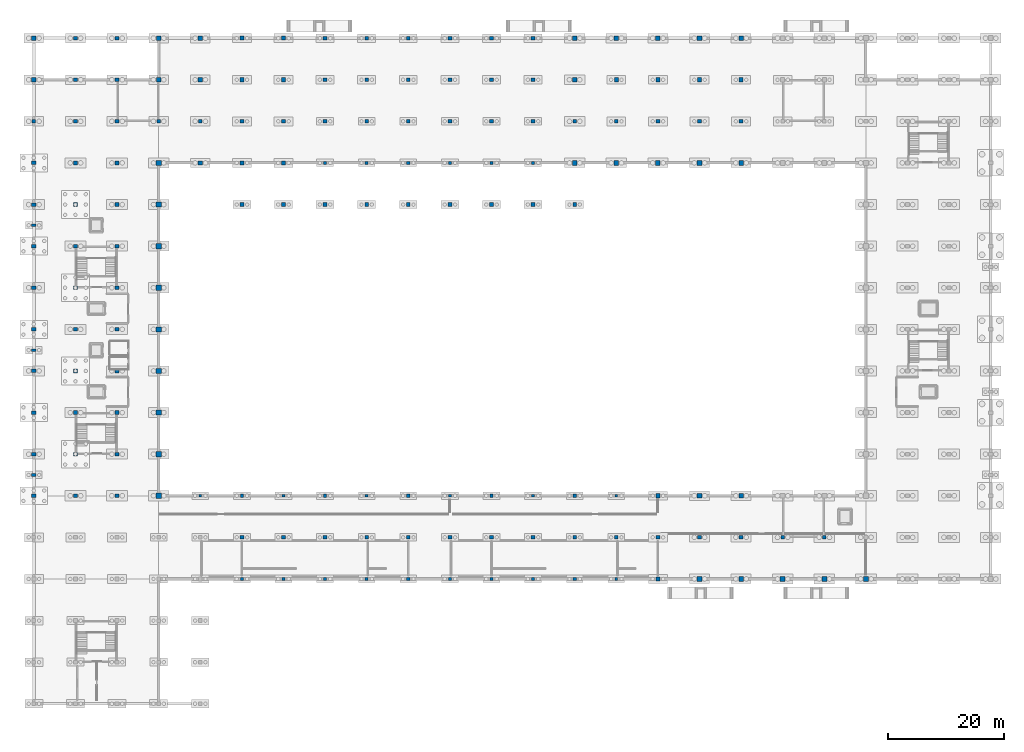
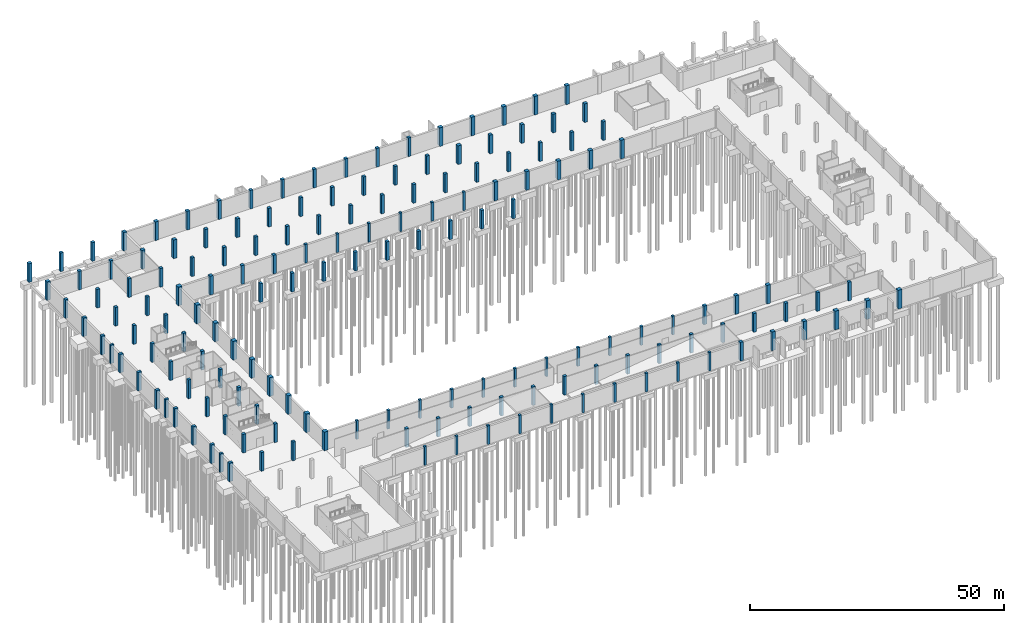
# One storey, part 7 of 18: 161 columns.
"""IFC4 building model written with IfcOpenShell, lengths in metres."""

from ifc_helpers import new_model, si_unit, direction, frame, origin, origin_2d, place, context, subcontext, project, spatial, rectangle, extrude, material, material_profile, profile_set, type_object, element, save


model = new_model("IFC4")

# Units and contexts
model_context = context("Model", 3, precision=1e-05, world=origin(), true_north=direction((0.0, 1.0)))
body_context = subcontext(model_context, "Body", "Model", "MODEL_VIEW")
ifc_project = project(units=[si_unit("LENGTHUNIT", "METRE"), si_unit("AREAUNIT", "SQUARE_METRE"), si_unit("VOLUMEUNIT", "CUBIC_METRE"), si_unit("PLANEANGLEUNIT", "RADIAN"), si_unit("MASSUNIT", "GRAM", prefix="KILO")], contexts=[model_context])

# Site, building, storey
site_placement = place(None, origin())
site = spatial("IfcSite", under=ifc_project, at=site_placement, CompositionType="ELEMENT")
building_placement = place(site_placement, origin())
building = spatial("IfcBuilding", under=site, at=building_placement, Name="Kangsadwip Square Police Headquarters", CompositionType="ELEMENT")
storey_placement = place(building_placement, frame((0.0, 0.0, -4.5)))
storey = spatial("IfcBuildingStorey", under=building, at=storey_placement, Name="B1", CompositionType="ELEMENT", Elevation=-4.5)

# Columns
ifc_material_1 = material(Name="Concrete M35 (35 MPa)", Category="concrete")
ifc_material_profile_1 = material_profile(ifc_material_1, rectangle(XDim=0.5, YDim=0.5, at=origin_2d()), Name="RC COL 500X500")
ifc_profile_set_1 = profile_set([ifc_material_profile_1], Name="Concrete M35 (35 MPa)")
column_type_1 = type_object("IfcColumnType", Name="RcCol500x500", PredefinedType="COLUMN", material=ifc_profile_set_1)
for number, where, z_axis, x_axis, name in (
    (1, (28.800048828125, 36.0, 0.0), (0.0, 0.0, 1.0), (1.0, 0.0, 0.0), "Column COL-B1-04-05"),
    (2, (43.199951171875, 21.60009765625, 0.0), (0.0, 0.0, 1.0), (1.0, 0.0, 0.0), "Column COL-B1-06-03"),
    (3, (43.199951171875, 36.0, 0.0), (0.0, 0.0, 1.0), (1.0, 0.0, 0.0), "Column COL-B1-06-05"),
    (4, (57.60009765625, 21.60009765625, 0.0), (0.0, 0.0, 1.0), (1.0, 0.0, 0.0), "Column COL-B1-08-03"),
    (5, (57.60009765625, 36.0, 0.0), (0.0, 0.0, 1.0), (1.0, 0.0, 0.0), "Column COL-B1-08-05"),
    (6, (57.60009765625, 93.60009765625, 0.0), (0.0, 0.0, 1.0), (1.0, 0.0, 0.0), "Column COL-B1-08-13"),
    (7, (72.0, 21.60009765625, 0.0), (0.0, 0.0, 1.0), (1.0, 0.0, 0.0), "Column COL-B1-10-03"),
    (8, (72.0, 36.0, 0.0), (0.0, 0.0, 1.0), (1.0, 0.0, 0.0), "Column COL-B1-10-05"),
    (9, (72.0, 93.60009765625, 0.0), (0.0, 0.0, 1.0), (1.0, 0.0, 0.0), "Column COL-B1-10-13"),
    (10, (86.39990234375, 21.60009765625, 0.0), (0.0, 0.0, 1.0), (1.0, 0.0, 0.0), "Column COL-B1-12-03"),
    (11, (86.39990234375, 36.0, 0.0), (0.0, 0.0, 1.0), (1.0, 0.0, 0.0), "Column COL-B1-12-05"),
    (12, (86.39990234375, 93.60009765625, 0.0), (0.0, 0.0, 1.0), (1.0, 0.0, 0.0), "Column COL-B1-12-13"),
    (13, (100.800048828125, 21.60009765625, 0.0), (0.0, 0.0, 1.0), (1.0, 0.0, 0.0), "Column COL-B1-14-03"),
    (14, (100.800048828125, 36.0, 0.0), (0.0, 0.0, 1.0), (1.0, 0.0, 0.0), "Column COL-B1-14-05"),
):
    element("IfcColumn", number, at=place(storey_placement, frame(where, z_axis=z_axis, x_axis=x_axis)), inside=storey, type_object=column_type_1, Name=name, PredefinedType="COLUMN", context=body_context, shape_type="SweptSolid", body=[
        extrude(rectangle(XDim=0.5, YDim=0.5, at=origin_2d()), origin(), (0.0, 0.0, 1.0), 4.5),
    ])
ifc_material_2 = material(Name="Concrete M35 (35 MPa)", Category="concrete")
ifc_material_profile_2 = material_profile(ifc_material_2, rectangle(XDim=0.550048828125, YDim=0.550048828125, at=origin_2d()), Name="RC COL 550X550")
ifc_profile_set_2 = profile_set([ifc_material_profile_2], Name="Concrete M35 (35 MPa)")
column_type_2 = type_object("IfcColumnType", Name="RcCol550x550", PredefinedType="COLUMN", material=ifc_profile_set_2)
for number, where, z_axis, x_axis, name in (
    (15, (36.0, 21.60009765625, 0.0), (0.0, 0.0, 1.0), (1.0, 0.0, 0.0), "Column COL-B1-05-03"),
    (16, (36.0, 36.0, 0.0), (0.0, 0.0, 1.0), (1.0, 0.0, 0.0), "Column COL-B1-05-05"),
    (17, (50.39990234375, 21.60009765625, 0.0), (0.0, 0.0, 1.0), (1.0, 0.0, 0.0), "Column COL-B1-07-03"),
    (18, (50.39990234375, 36.0, 0.0), (0.0, 0.0, 1.0), (1.0, 0.0, 0.0), "Column COL-B1-07-05"),
    (19, (50.39990234375, 93.60009765625, 0.0), (0.0, 0.0, 1.0), (1.0, 0.0, 0.0), "Column COL-B1-07-13"),
    (20, (64.800048828125, 21.60009765625, 0.0), (0.0, 0.0, 1.0), (1.0, 0.0, 0.0), "Column COL-B1-09-03"),
    (21, (64.800048828125, 36.0, 0.0), (0.0, 0.0, 1.0), (1.0, 0.0, 0.0), "Column COL-B1-09-05"),
    (22, (64.800048828125, 93.60009765625, 0.0), (0.0, 0.0, 1.0), (1.0, 0.0, 0.0), "Column COL-B1-09-13"),
    (23, (79.199951171875, 21.60009765625, 0.0), (0.0, 0.0, 1.0), (1.0, 0.0, 0.0), "Column COL-B1-11-03"),
    (24, (79.199951171875, 36.0, 0.0), (0.0, 0.0, 1.0), (1.0, 0.0, 0.0), "Column COL-B1-11-05"),
    (25, (79.199951171875, 93.60009765625, 0.0), (0.0, 0.0, 1.0), (1.0, 0.0, 0.0), "Column COL-B1-11-13"),
    (26, (93.60009765625, 21.60009765625, 0.0), (0.0, 0.0, 1.0), (1.0, 0.0, 0.0), "Column COL-B1-13-03"),
    (27, (93.60009765625, 36.0, 0.0), (0.0, 0.0, 1.0), (1.0, 0.0, 0.0), "Column COL-B1-13-05"),
):
    element("IfcColumn", number, at=place(storey_placement, frame(where, z_axis=z_axis, x_axis=x_axis)), inside=storey, type_object=column_type_2, Name=name, PredefinedType="COLUMN", context=body_context, shape_type="SweptSolid", body=[
        extrude(rectangle(XDim=0.550048828125, YDim=0.550048828125, at=origin_2d()), origin(), (0.0, 0.0, 1.0), 4.5),
    ])
ifc_material_3 = material(Name="Concrete M40 (40 MPa)", Category="concrete")
ifc_material_profile_3 = material_profile(ifc_material_3, rectangle(XDim=0.64990234375, YDim=0.64990234375, at=origin_2d()), Name="RC COL 650X650")
ifc_profile_set_3 = profile_set([ifc_material_profile_3], Name="Concrete M40 (40 MPa)")
column_type_3 = type_object("IfcColumnType", Name="RcCol650x650", PredefinedType="COLUMN", material=ifc_profile_set_3)
for number, where, z_axis, x_axis, name in (
    (28, (0.0, 100.800048828125, 0.0), (0.0, 0.0, 1.0), (1.0, 0.0, 0.0), "Column COL-B1-00-14"),
    (29, (7.199951171875, 36.0, 0.0), (0.0, 0.0, 1.0), (1.0, 0.0, 0.0), "Column COL-B1-01-05"),
    (30, (7.199951171875, 43.199951171875, 0.0), (0.0, 0.0, 1.0), (1.0, 0.0, 0.0), "Column COL-B1-01-06"),
    (31, (7.199951171875, 50.39990234375, 0.0), (0.0, 0.0, 1.0), (1.0, 0.0, 0.0), "Column COL-B1-01-07"),
    (32, (7.199951171875, 57.60009765625, 0.0), (0.0, 0.0, 1.0), (1.0, 0.0, 0.0), "Column COL-B1-01-08"),
    (33, (7.199951171875, 64.800048828125, 0.0), (0.0, 0.0, 1.0), (1.0, 0.0, 0.0), "Column COL-B1-01-09"),
    (34, (7.199951171875, 72.0, 0.0), (0.0, 0.0, 1.0), (1.0, 0.0, 0.0), "Column COL-B1-01-10"),
    (35, (7.199951171875, 79.199951171875, 0.0), (0.0, 0.0, 1.0), (1.0, 0.0, 0.0), "Column COL-B1-01-11"),
    (36, (7.199951171875, 86.39990234375, 0.0), (0.0, 0.0, 1.0), (1.0, 0.0, 0.0), "Column COL-B1-01-12"),
    (37, (7.199951171875, 93.60009765625, 0.0), (0.0, 0.0, 1.0), (1.0, 0.0, 0.0), "Column COL-B1-01-13"),
    (38, (7.199951171875, 100.800048828125, 0.0), (0.0, 0.0, 1.0), (1.0, 0.0, 0.0), "Column COL-B1-01-14"),
    (39, (7.199951171875, 108.0, 0.0), (0.0, 0.0, 1.0), (1.0, 0.0, 0.0), "Column COL-B1-01-15"),
    (40, (7.199951171875, 115.199951171875, 0.0), (0.0, 0.0, 1.0), (1.0, 0.0, 0.0), "Column COL-B1-01-16"),
    (41, (14.39990234375, 36.0, 0.0), (0.0, 0.0, 1.0), (1.0, 0.0, 0.0), "Column COL-B1-02-05"),
    (42, (14.39990234375, 43.199951171875, 0.0), (0.0, 0.0, 1.0), (1.0, 0.0, 0.0), "Column COL-B1-02-06"),
    (43, (14.39990234375, 50.39990234375, 0.0), (0.0, 0.0, 1.0), (1.0, 0.0, 0.0), "Column COL-B1-02-07"),
    (44, (14.39990234375, 57.60009765625, 0.0), (0.0, 0.0, 1.0), (1.0, 0.0, 0.0), "Column COL-B1-02-08"),
    (45, (14.39990234375, 64.800048828125, 0.0), (0.0, 0.0, 1.0), (1.0, 0.0, 0.0), "Column COL-B1-02-09"),
    (46, (14.39990234375, 72.0, 0.0), (0.0, 0.0, 1.0), (1.0, 0.0, 0.0), "Column COL-B1-02-10"),
    (47, (14.39990234375, 79.199951171875, 0.0), (0.0, 0.0, 1.0), (1.0, 0.0, 0.0), "Column COL-B1-02-11"),
    (48, (14.39990234375, 86.39990234375, 0.0), (0.0, 0.0, 1.0), (1.0, 0.0, 0.0), "Column COL-B1-02-12"),
    (49, (14.39990234375, 93.60009765625, 0.0), (0.0, 0.0, 1.0), (1.0, 0.0, 0.0), "Column COL-B1-02-13"),
    (50, (14.39990234375, 100.800048828125, 0.0), (0.0, 0.0, 1.0), (1.0, 0.0, 0.0), "Column COL-B1-02-14"),
    (51, (14.39990234375, 108.0, 0.0), (0.0, 0.0, 1.0), (1.0, 0.0, 0.0), "Column COL-B1-02-15"),
    (52, (14.39990234375, 115.199951171875, 0.0), (0.0, 0.0, 1.0), (1.0, 0.0, 0.0), "Column COL-B1-02-16"),
    (53, (21.60009765625, 100.800048828125, 0.0), (0.0, 0.0, 1.0), (1.0, 0.0, 0.0), "Column COL-B1-03-14"),
    (54, (28.800048828125, 100.800048828125, 0.0), (0.0, 0.0, 1.0), (1.0, 0.0, 0.0), "Column COL-B1-04-14"),
    (55, (36.0, 28.800048828125, 0.0), (0.0, 0.0, 1.0), (1.0, 0.0, 0.0), "Column COL-B1-05-04"),
    (56, (36.0, 86.39990234375, 0.0), (0.0, 0.0, 1.0), (1.0, 0.0, 0.0), "Column COL-B1-05-12"),
    (57, (36.0, 100.800048828125, 0.0), (0.0, 0.0, 1.0), (1.0, 0.0, 0.0), "Column COL-B1-05-14"),
    (58, (43.199951171875, 28.800048828125, 0.0), (0.0, 0.0, 1.0), (1.0, 0.0, 0.0), "Column COL-B1-06-04"),
    (59, (43.199951171875, 86.39990234375, 0.0), (0.0, 0.0, 1.0), (1.0, 0.0, 0.0), "Column COL-B1-06-12"),
    (60, (43.199951171875, 100.800048828125, 0.0), (0.0, 0.0, 1.0), (1.0, 0.0, 0.0), "Column COL-B1-06-14"),
    (61, (50.39990234375, 28.800048828125, 0.0), (0.0, 0.0, 1.0), (1.0, 0.0, 0.0), "Column COL-B1-07-04"),
    (62, (50.39990234375, 86.39990234375, 0.0), (0.0, 0.0, 1.0), (1.0, 0.0, 0.0), "Column COL-B1-07-12"),
    (63, (50.39990234375, 100.800048828125, 0.0), (0.0, 0.0, 1.0), (1.0, 0.0, 0.0), "Column COL-B1-07-14"),
    (64, (50.39990234375, 108.0, 0.0), (0.0, 0.0, 1.0), (1.0, 0.0, 0.0), "Column COL-B1-07-15"),
    (65, (50.39990234375, 115.199951171875, 0.0), (0.0, 0.0, 1.0), (1.0, 0.0, 0.0), "Column COL-B1-07-16"),
    (66, (57.60009765625, 28.800048828125, 0.0), (0.0, 0.0, 1.0), (1.0, 0.0, 0.0), "Column COL-B1-08-04"),
    (67, (57.60009765625, 86.39990234375, 0.0), (0.0, 0.0, 1.0), (1.0, 0.0, 0.0), "Column COL-B1-08-12"),
    (68, (57.60009765625, 100.800048828125, 0.0), (0.0, 0.0, 1.0), (1.0, 0.0, 0.0), "Column COL-B1-08-14"),
    (69, (57.60009765625, 108.0, 0.0), (0.0, 0.0, 1.0), (1.0, 0.0, 0.0), "Column COL-B1-08-15"),
    (70, (57.60009765625, 115.199951171875, 0.0), (0.0, 0.0, 1.0), (1.0, 0.0, 0.0), "Column COL-B1-08-16"),
    (71, (64.800048828125, 28.800048828125, 0.0), (0.0, 0.0, 1.0), (1.0, 0.0, 0.0), "Column COL-B1-09-04"),
    (72, (64.800048828125, 86.39990234375, 0.0), (0.0, 0.0, 1.0), (1.0, 0.0, 0.0), "Column COL-B1-09-12"),
    (73, (64.800048828125, 100.800048828125, 0.0), (0.0, 0.0, 1.0), (1.0, 0.0, 0.0), "Column COL-B1-09-14"),
    (74, (64.800048828125, 108.0, 0.0), (0.0, 0.0, 1.0), (1.0, 0.0, 0.0), "Column COL-B1-09-15"),
    (75, (64.800048828125, 115.199951171875, 0.0), (0.0, 0.0, 1.0), (1.0, 0.0, 0.0), "Column COL-B1-09-16"),
    (76, (72.0, 28.800048828125, 0.0), (0.0, 0.0, 1.0), (1.0, 0.0, 0.0), "Column COL-B1-10-04"),
    (77, (72.0, 86.39990234375, 0.0), (0.0, 0.0, 1.0), (1.0, 0.0, 0.0), "Column COL-B1-10-12"),
    (78, (72.0, 100.800048828125, 0.0), (0.0, 0.0, 1.0), (1.0, 0.0, 0.0), "Column COL-B1-10-14"),
    (79, (72.0, 108.0, 0.0), (0.0, 0.0, 1.0), (1.0, 0.0, 0.0), "Column COL-B1-10-15"),
    (80, (72.0, 115.199951171875, 0.0), (0.0, 0.0, 1.0), (1.0, 0.0, 0.0), "Column COL-B1-10-16"),
    (81, (79.199951171875, 28.800048828125, 0.0), (0.0, 0.0, 1.0), (1.0, 0.0, 0.0), "Column COL-B1-11-04"),
    (82, (79.199951171875, 86.39990234375, 0.0), (0.0, 0.0, 1.0), (1.0, 0.0, 0.0), "Column COL-B1-11-12"),
    (83, (79.199951171875, 100.800048828125, 0.0), (0.0, 0.0, 1.0), (1.0, 0.0, 0.0), "Column COL-B1-11-14"),
    (84, (79.199951171875, 108.0, 0.0), (0.0, 0.0, 1.0), (1.0, 0.0, 0.0), "Column COL-B1-11-15"),
    (85, (79.199951171875, 115.199951171875, 0.0), (0.0, 0.0, 1.0), (1.0, 0.0, 0.0), "Column COL-B1-11-16"),
    (86, (86.39990234375, 28.800048828125, 0.0), (0.0, 0.0, 1.0), (1.0, 0.0, 0.0), "Column COL-B1-12-04"),
    (87, (86.39990234375, 86.39990234375, 0.0), (0.0, 0.0, 1.0), (1.0, 0.0, 0.0), "Column COL-B1-12-12"),
    (88, (86.39990234375, 100.800048828125, 0.0), (0.0, 0.0, 1.0), (1.0, 0.0, 0.0), "Column COL-B1-12-14"),
    (89, (86.39990234375, 108.0, 0.0), (0.0, 0.0, 1.0), (1.0, 0.0, 0.0), "Column COL-B1-12-15"),
    (90, (86.39990234375, 115.199951171875, 0.0), (0.0, 0.0, 1.0), (1.0, 0.0, 0.0), "Column COL-B1-12-16"),
    (91, (93.60009765625, 28.800048828125, 0.0), (0.0, 0.0, 1.0), (1.0, 0.0, 0.0), "Column COL-B1-13-04"),
    (92, (93.60009765625, 86.39990234375, 0.0), (0.0, 0.0, 1.0), (1.0, 0.0, 0.0), "Column COL-B1-13-12"),
    (93, (93.60009765625, 100.800048828125, 0.0), (0.0, 0.0, 1.0), (1.0, 0.0, 0.0), "Column COL-B1-13-14"),
    (94, (100.800048828125, 28.800048828125, 0.0), (0.0, 0.0, 1.0), (1.0, 0.0, 0.0), "Column COL-B1-14-04"),
    (95, (100.800048828125, 100.800048828125, 0.0), (0.0, 0.0, 1.0), (1.0, 0.0, 0.0), "Column COL-B1-14-14"),
    (96, (108.0, 28.800048828125, 0.0), (0.0, 0.0, 1.0), (1.0, 0.0, 0.0), "Column COL-B1-15-04"),
    (97, (108.0, 100.800048828125, 0.0), (0.0, 0.0, 1.0), (1.0, 0.0, 0.0), "Column COL-B1-15-14"),
    (98, (115.199951171875, 28.800048828125, 0.0), (0.0, 0.0, 1.0), (1.0, 0.0, 0.0), "Column COL-B1-16-04"),
    (99, (115.199951171875, 100.800048828125, 0.0), (0.0, 0.0, 1.0), (1.0, 0.0, 0.0), "Column COL-B1-16-14"),
    (100, (122.39990234375, 28.800048828125, 0.0), (0.0, 0.0, 1.0), (1.0, 0.0, 0.0), "Column COL-B1-17-04"),
    (101, (122.39990234375, 100.800048828125, 0.0), (0.0, 0.0, 1.0), (1.0, 0.0, 0.0), "Column COL-B1-17-14"),
    (102, (129.60009765625, 28.800048828125, 0.0), (0.0, 0.0, 1.0), (1.0, 0.0, 0.0), "Column COL-B1-18-04"),
    (103, (136.800048828125, 28.800048828125, 0.0), (0.0, 0.0, 1.0), (1.0, 0.0, 0.0), "Column COL-B1-19-04"),
):
    element("IfcColumn", number, at=place(storey_placement, frame(where, z_axis=z_axis, x_axis=x_axis)), inside=storey, type_object=column_type_3, Name=name, PredefinedType="COLUMN", context=body_context, shape_type="SweptSolid", body=[
        extrude(rectangle(XDim=0.64990234375, YDim=0.64990234375, at=origin_2d()), origin(), (0.0, 0.0, 1.0), 4.5),
    ])
ifc_material_4 = material(Name="Concrete M40 (40 MPa)", Category="concrete")
ifc_material_profile_4 = material_profile(ifc_material_4, rectangle(XDim=0.699951171875, YDim=0.699951171875, at=origin_2d()), Name="RC COL 700X700")
ifc_profile_set_4 = profile_set([ifc_material_profile_4], Name="Concrete M40 (40 MPa)")
column_type_4 = type_object("IfcColumnType", Name="RcCol700x700", PredefinedType="COLUMN", material=ifc_profile_set_4)
for number, where, z_axis, x_axis, name in (
    (104, (36.0, 93.60009765625, 0.0), (0.0, 0.0, 1.0), (1.0, 0.0, 0.0), "Column COL-B1-05-13"),
    (105, (36.0, 108.0, 0.0), (0.0, 0.0, 1.0), (1.0, 0.0, 0.0), "Column COL-B1-05-15"),
    (106, (36.0, 115.199951171875, 0.0), (0.0, 0.0, 1.0), (1.0, 0.0, 0.0), "Column COL-B1-05-16"),
    (107, (43.199951171875, 93.60009765625, 0.0), (0.0, 0.0, 1.0), (1.0, 0.0, 0.0), "Column COL-B1-06-13"),
    (108, (43.199951171875, 108.0, 0.0), (0.0, 0.0, 1.0), (1.0, 0.0, 0.0), "Column COL-B1-06-15"),
    (109, (43.199951171875, 115.199951171875, 0.0), (0.0, 0.0, 1.0), (1.0, 0.0, 0.0), "Column COL-B1-06-16"),
    (110, (100.800048828125, 108.0, 0.0), (0.0, 0.0, 1.0), (1.0, 0.0, 0.0), "Column COL-B1-14-15"),
    (111, (108.0, 21.60009765625, 0.0), (0.0, 0.0, 1.0), (1.0, 0.0, 0.0), "Column COL-B1-15-03"),
    (112, (108.0, 36.0, 0.0), (0.0, 0.0, 1.0), (1.0, 0.0, 0.0), "Column COL-B1-15-05"),
    (113, (108.0, 108.0, 0.0), (0.0, 0.0, 1.0), (1.0, 0.0, 0.0), "Column COL-B1-15-15"),
    (114, (115.199951171875, 108.0, 0.0), (0.0, 0.0, 1.0), (1.0, 0.0, 0.0), "Column COL-B1-16-15"),
    (115, (122.39990234375, 108.0, 0.0), (0.0, 0.0, 1.0), (1.0, 0.0, 0.0), "Column COL-B1-17-15"),
):
    element("IfcColumn", number, at=place(storey_placement, frame(where, z_axis=z_axis, x_axis=x_axis)), inside=storey, type_object=column_type_4, Name=name, PredefinedType="COLUMN", context=body_context, shape_type="SweptSolid", body=[
        extrude(rectangle(XDim=0.699951171875, YDim=0.699951171875, at=origin_2d()), origin(), (0.0, 0.0, 1.0), 4.5),
    ])
ifc_material_5 = material(Name="Concrete M40 (40 MPa)", Category="concrete")
ifc_material_profile_5 = material_profile(ifc_material_5, rectangle(XDim=0.75, YDim=0.75, at=origin_2d()), Name="RC COL 750X750")
ifc_profile_set_5 = profile_set([ifc_material_profile_5], Name="Concrete M40 (40 MPa)")
column_type_5 = type_object("IfcColumnType", Name="RcCol750x750", PredefinedType="COLUMN", material=ifc_profile_set_5)
for number, where, z_axis, x_axis, name in (
    (116, (0.0, 108.0, 0.0), (0.0, 0.0, 1.0), (1.0, 0.0, 0.0), "Column COL-B1-00-15"),
    (117, (0.0, 115.199951171875, 0.0), (0.0, 0.0, 1.0), (1.0, 0.0, 0.0), "Column COL-B1-00-16"),
    (118, (21.60009765625, 108.0, 0.0), (0.0, 0.0, 1.0), (1.0, 0.0, 0.0), "Column COL-B1-03-15"),
    (119, (21.60009765625, 115.199951171875, 0.0), (0.0, 0.0, 1.0), (1.0, 0.0, 0.0), "Column COL-B1-03-16"),
    (120, (28.800048828125, 93.60009765625, 0.0), (0.0, 0.0, 1.0), (1.0, 0.0, 0.0), "Column COL-B1-04-13"),
    (121, (28.800048828125, 108.0, 0.0), (0.0, 0.0, 1.0), (1.0, 0.0, 0.0), "Column COL-B1-04-15"),
    (122, (28.800048828125, 115.199951171875, 0.0), (0.0, 0.0, 1.0), (1.0, 0.0, 0.0), "Column COL-B1-04-16"),
):
    element("IfcColumn", number, at=place(storey_placement, frame(where, z_axis=z_axis, x_axis=x_axis)), inside=storey, type_object=column_type_5, Name=name, PredefinedType="COLUMN", context=body_context, shape_type="SweptSolid", body=[
        extrude(rectangle(XDim=0.75, YDim=0.75, at=origin_2d()), origin(), (0.0, 0.0, 1.0), 4.5),
    ])
ifc_material_6 = material(Name="Concrete M40 (40 MPa)", Category="concrete")
ifc_material_profile_6 = material_profile(ifc_material_6, rectangle(XDim=0.60009765625, YDim=0.800048828125, at=origin_2d()), Name="RC COL 800X600")
ifc_profile_set_6 = profile_set([ifc_material_profile_6], Name="Concrete M40 (40 MPa)")
column_type_6 = type_object("IfcColumnType", Name="RcCol800x600", PredefinedType="COLUMN", material=ifc_profile_set_6)
for number, where, z_axis, x_axis, name in (
    (123, (0.0, 36.0, 0.0), (0.0, 0.0, 1.0), (0.0, 1.0, 0.0), "Column COL-B1-00-05"),
    (124, (0.0, 43.199951171875, 0.0), (0.0, 0.0, 1.0), (0.0, 1.0, 0.0), "Column COL-B1-00-06"),
    (125, (0.0, 50.39990234375, 0.0), (0.0, 0.0, 1.0), (0.0, 1.0, 0.0), "Column COL-B1-00-07"),
    (126, (0.0, 57.60009765625, 0.0), (0.0, 0.0, 1.0), (0.0, 1.0, 0.0), "Column COL-B1-00-08"),
    (127, (0.0, 64.800048828125, 0.0), (0.0, 0.0, 1.0), (0.0, 1.0, 0.0), "Column COL-B1-00-09"),
    (128, (0.0, 72.0, 0.0), (0.0, 0.0, 1.0), (0.0, 1.0, 0.0), "Column COL-B1-00-10"),
    (129, (0.0, 79.199951171875, 0.0), (0.0, 0.0, 1.0), (0.0, 1.0, 0.0), "Column COL-B1-00-11"),
    (130, (0.0, 86.39990234375, 0.0), (0.0, 0.0, 1.0), (0.0, 1.0, 0.0), "Column COL-B1-00-12"),
    (131, (0.0, 93.60009765625, 0.0), (0.0, 0.0, 1.0), (0.0, 1.0, 0.0), "Column COL-B1-00-13"),
):
    element("IfcColumn", number, at=place(storey_placement, frame(where, z_axis=z_axis, x_axis=x_axis)), inside=storey, type_object=column_type_6, Name=name, PredefinedType="COLUMN", context=body_context, shape_type="SweptSolid", body=[
        extrude(rectangle(XDim=0.60009765625, YDim=0.800048828125, at=origin_2d()), origin(), (0.0, 0.0, 1.0), 4.5),
    ])
ifc_material_7 = material(Name="Concrete M40 (40 MPa)", Category="concrete")
ifc_material_profile_7 = material_profile(ifc_material_7, rectangle(XDim=0.800048828125, YDim=0.800048828125, at=origin_2d()), Name="RC COL 800X800")
ifc_profile_set_7 = profile_set([ifc_material_profile_7], Name="Concrete M40 (40 MPa)")
column_type_7 = type_object("IfcColumnType", Name="RcCol800x800", PredefinedType="COLUMN", material=ifc_profile_set_7)
for number, where, z_axis, x_axis, name in (
    (132, (93.60009765625, 93.60009765625, 0.0), (0.0, 0.0, 1.0), (1.0, 0.0, 0.0), "Column COL-B1-13-13"),
    (133, (93.60009765625, 108.0, 0.0), (0.0, 0.0, 1.0), (1.0, 0.0, 0.0), "Column COL-B1-13-15"),
    (134, (93.60009765625, 115.199951171875, 0.0), (0.0, 0.0, 1.0), (1.0, 0.0, 0.0), "Column COL-B1-13-16"),
    (135, (100.800048828125, 93.60009765625, 0.0), (0.0, 0.0, 1.0), (1.0, 0.0, 0.0), "Column COL-B1-14-13"),
    (136, (100.800048828125, 115.199951171875, 0.0), (0.0, 0.0, 1.0), (1.0, 0.0, 0.0), "Column COL-B1-14-16"),
    (137, (108.0, 93.60009765625, 0.0), (0.0, 0.0, 1.0), (1.0, 0.0, 0.0), "Column COL-B1-15-13"),
    (138, (108.0, 115.199951171875, 0.0), (0.0, 0.0, 1.0), (1.0, 0.0, 0.0), "Column COL-B1-15-16"),
    (139, (115.199951171875, 21.60009765625, 0.0), (0.0, 0.0, 1.0), (1.0, 0.0, 0.0), "Column COL-B1-16-03"),
    (140, (115.199951171875, 36.0, 0.0), (0.0, 0.0, 1.0), (1.0, 0.0, 0.0), "Column COL-B1-16-05"),
    (141, (115.199951171875, 93.60009765625, 0.0), (0.0, 0.0, 1.0), (1.0, 0.0, 0.0), "Column COL-B1-16-13"),
    (142, (115.199951171875, 115.199951171875, 0.0), (0.0, 0.0, 1.0), (1.0, 0.0, 0.0), "Column COL-B1-16-16"),
    (143, (122.39990234375, 21.60009765625, 0.0), (0.0, 0.0, 1.0), (1.0, 0.0, 0.0), "Column COL-B1-17-03"),
    (144, (122.39990234375, 36.0, 0.0), (0.0, 0.0, 1.0), (1.0, 0.0, 0.0), "Column COL-B1-17-05"),
    (145, (122.39990234375, 93.60009765625, 0.0), (0.0, 0.0, 1.0), (1.0, 0.0, 0.0), "Column COL-B1-17-13"),
    (146, (122.39990234375, 115.199951171875, 0.0), (0.0, 0.0, 1.0), (1.0, 0.0, 0.0), "Column COL-B1-17-16"),
):
    element("IfcColumn", number, at=place(storey_placement, frame(where, z_axis=z_axis, x_axis=x_axis)), inside=storey, type_object=column_type_7, Name=name, PredefinedType="COLUMN", context=body_context, shape_type="SweptSolid", body=[
        extrude(rectangle(XDim=0.800048828125, YDim=0.800048828125, at=origin_2d()), origin(), (0.0, 0.0, 1.0), 4.5),
    ])
ifc_material_8 = material(Name="Concrete M40 (40 MPa)", Category="concrete")
ifc_material_profile_8 = material_profile(ifc_material_8, rectangle(XDim=0.85009765625, YDim=0.85009765625, at=origin_2d()), Name="RC COL 850X850")
ifc_profile_set_8 = profile_set([ifc_material_profile_8], Name="Concrete M40 (40 MPa)")
column_type_8 = type_object("IfcColumnType", Name="RcCol850x850", PredefinedType="COLUMN", material=ifc_profile_set_8)
for number, where, z_axis, x_axis, name in (
    (147, (129.60009765625, 21.60009765625, 0.0), (0.0, 0.0, 1.0), (1.0, 0.0, 0.0), "Column COL-B1-18-03"),
    (148, (136.800048828125, 21.60009765625, 0.0), (0.0, 0.0, 1.0), (1.0, 0.0, 0.0), "Column COL-B1-19-03"),
    (149, (144.0, 21.60009765625, 0.0), (0.0, 0.0, 1.0), (1.0, 0.0, 0.0), "Column COL-B1-20-03"),
):
    element("IfcColumn", number, at=place(storey_placement, frame(where, z_axis=z_axis, x_axis=x_axis)), inside=storey, type_object=column_type_8, Name=name, PredefinedType="COLUMN", context=body_context, shape_type="SweptSolid", body=[
        extrude(rectangle(XDim=0.85009765625, YDim=0.85009765625, at=origin_2d()), origin(), (0.0, 0.0, 1.0), 4.5),
    ])
ifc_material_9 = material(Name="Concrete M40 (40 MPa)", Category="concrete")
ifc_material_profile_9 = material_profile(ifc_material_9, rectangle(XDim=0.89990234375, YDim=0.89990234375, at=origin_2d()), Name="RC COL 900X900")
ifc_profile_set_9 = profile_set([ifc_material_profile_9], Name="Concrete M40 (40 MPa)")
column_type_9 = type_object("IfcColumnType", Name="RcCol900x900", PredefinedType="COLUMN", material=ifc_profile_set_9)
for number, where, z_axis, x_axis, name in (
    (150, (21.60009765625, 36.0, 0.0), (0.0, 0.0, 1.0), (1.0, 0.0, 0.0), "Column COL-B1-03-05"),
    (151, (21.60009765625, 43.199951171875, 0.0), (0.0, 0.0, 1.0), (1.0, 0.0, 0.0), "Column COL-B1-03-06"),
    (152, (21.60009765625, 50.39990234375, 0.0), (0.0, 0.0, 1.0), (1.0, 0.0, 0.0), "Column COL-B1-03-07"),
    (153, (21.60009765625, 57.60009765625, 0.0), (0.0, 0.0, 1.0), (1.0, 0.0, 0.0), "Column COL-B1-03-08"),
    (154, (21.60009765625, 64.800048828125, 0.0), (0.0, 0.0, 1.0), (1.0, 0.0, 0.0), "Column COL-B1-03-09"),
    (155, (21.60009765625, 72.0, 0.0), (0.0, 0.0, 1.0), (1.0, 0.0, 0.0), "Column COL-B1-03-10"),
    (156, (21.60009765625, 79.199951171875, 0.0), (0.0, 0.0, 1.0), (1.0, 0.0, 0.0), "Column COL-B1-03-11"),
    (157, (21.60009765625, 86.39990234375, 0.0), (0.0, 0.0, 1.0), (1.0, 0.0, 0.0), "Column COL-B1-03-12"),
    (158, (21.60009765625, 93.60009765625, 0.0), (0.0, 0.0, 1.0), (1.0, 0.0, 0.0), "Column COL-B1-03-13"),
):
    element("IfcColumn", number, at=place(storey_placement, frame(where, z_axis=z_axis, x_axis=x_axis)), inside=storey, type_object=column_type_9, Name=name, PredefinedType="COLUMN", context=body_context, shape_type="SweptSolid", body=[
        extrude(rectangle(XDim=0.89990234375, YDim=0.89990234375, at=origin_2d()), origin(), (0.0, 0.0, 1.0), 4.5),
    ])
ifc_material_10 = material(Name="Concrete M40 (40 MPa)", Category="concrete")
ifc_material_profile_10 = material_profile(ifc_material_10, rectangle(XDim=0.449951171875, YDim=0.75, at=origin_2d()), Name="RC PIL 750X450")
ifc_profile_set_10 = profile_set([ifc_material_profile_10], Name="Concrete M40 (40 MPa)")
column_type_10 = type_object("IfcColumnType", Name="RcPil750x450", PredefinedType="PILASTER", material=ifc_profile_set_10)
for number, where, z_axis, x_axis, name in (
    (159, (0.0, 39.60009765625, 0.0), (0.0, 0.0, 1.0), (0.0, 1.0, 0.0), "Colonnade Pilaster PIL-B1-001"),
    (160, (0.0, 61.199951171875, 0.0), (0.0, 0.0, 1.0), (0.0, 1.0, 0.0), "Colonnade Pilaster PIL-B1-010"),
    (161, (0.0, 82.800048828125, 0.0), (0.0, 0.0, 1.0), (0.0, 1.0, 0.0), "Colonnade Pilaster PIL-B1-019"),
):
    element("IfcColumn", number, at=place(storey_placement, frame(where, z_axis=z_axis, x_axis=x_axis)), inside=storey, type_object=column_type_10, Name=name, PredefinedType="PILASTER", context=body_context, shape_type="SweptSolid", body=[
        extrude(rectangle(XDim=0.449951171875, YDim=0.75, at=origin_2d()), origin(), (0.0, 0.0, 1.0), 4.5),
    ])

save(model, "model.ifc")
